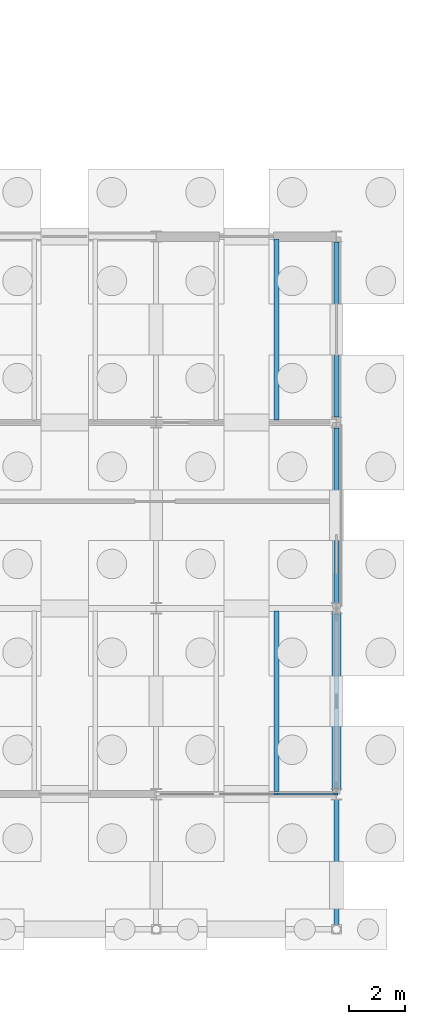
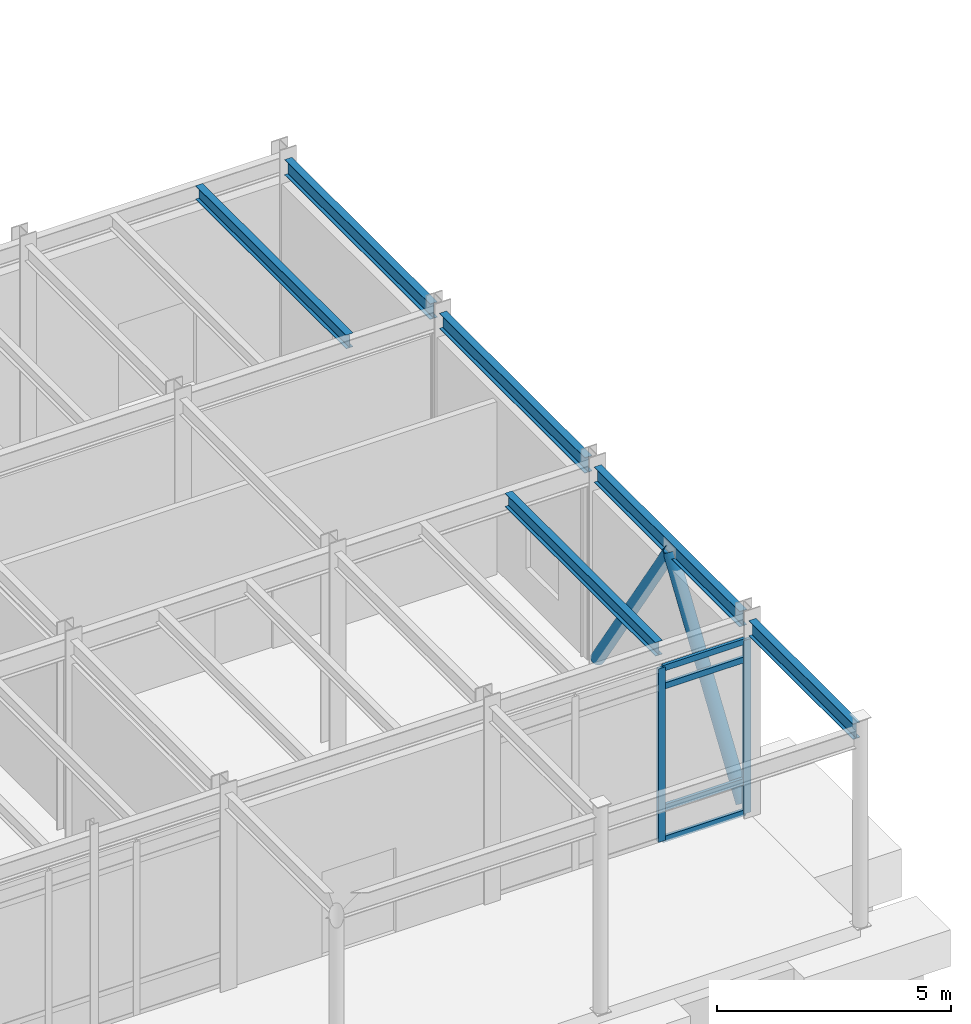
# One storey, part 46 of 82: 8 members, 6 beams, 1 element without a shape of its own.
"""IFC4 building model written with IfcOpenShell, lengths in metres."""

from ifc_helpers import new_model, si_unit, direction, frame, origin, origin_2d, place, context, subcontext, project, spatial, rectangle, hollow_circle, i_section, extrude, material, layer, layer_set, material_profile, profile_set, type_object, element, aggregate, save


model = new_model("IFC4")

# Units and contexts
model_context = context("Model", 3, precision=1e-05, world=origin(), true_north=direction((0.0, 1.0)))
body_context = subcontext(model_context, "Body", "Model", "MODEL_VIEW")
ifc_project = project(units=[si_unit("LENGTHUNIT", "METRE"), si_unit("AREAUNIT", "SQUARE_METRE"), si_unit("VOLUMEUNIT", "CUBIC_METRE"), si_unit("PLANEANGLEUNIT", "RADIAN"), si_unit("MASSUNIT", "GRAM", prefix="KILO")], contexts=[model_context])

# Site, building, storey
site_placement = place(None, origin())
site = spatial("IfcSite", under=ifc_project, at=site_placement, CompositionType="ELEMENT")
building_placement = place(site_placement, origin())
building = spatial("IfcBuilding", under=site, at=building_placement, Name="Trelmorton Wharf Fire Station", CompositionType="ELEMENT")
storey_placement = place(building_placement, origin())
storey = spatial("IfcBuildingStorey", under=building, at=storey_placement, Name="L00", CompositionType="ELEMENT", Elevation=0.0)

# Beams
ifc_material_1 = material(Name="Steel Grade 350", Category="steel")
ifc_material_profile_1 = material_profile(ifc_material_1, i_section(OverallWidth=0.177978515625, OverallDepth=0.406005859375, WebThickness=0.0078125, FlangeThickness=0.0126953125, FilletRadius=0.011474609375, at=origin_2d()), Name="410UB59.7")
ifc_profile_set_1 = profile_set([ifc_material_profile_1], Name="Steel Grade 350")
beam_type_1 = type_object("IfcBeamType", Name="BM_410UB60", PredefinedType="BEAM", material=ifc_profile_set_1)
beam_1_placement = place(storey_placement, frame((162.39990234375, 3.157958984375, 4.927001953125), z_axis=(0.0, 1.0, 0.0), x_axis=(-1.0, 0.0, 0.0)))
element("IfcBeam", 1, at=beam_1_placement, inside=storey, type_object=beam_type_1, Name="BM-L00-0386", PredefinedType="BEAM", context=body_context, shape_type="SweptSolid", body=[
    extrude(i_section(OverallWidth=0.177978515625, OverallDepth=0.406005859375, WebThickness=0.0078125, FlangeThickness=0.0126953125, FilletRadius=0.011474609375, at=origin_2d()), origin(), (0.0, 0.0, 1.0), 4.446044921875),
])
for number, where, z_axis, x_axis, name in (
    (2, (162.39990234375, 7.99609375, 4.927001953125), (0.0, 1.0, 0.0), (-1.0, 0.0, 0.0), "BM-L00-0387"),
    (3, (162.39990234375, 14.595947265625, 4.927001953125), (0.0, 1.0, 0.0), (-1.0, 0.0, 0.0), "BM-L00-0388"),
    (4, (162.39990234375, 21.196044921875, 4.927001953125), (0.0, 1.0, 0.0), (-1.0, 0.0, 0.0), "BM-L00-0389"),
):
    element("IfcBeam", number, at=place(storey_placement, frame(where, z_axis=z_axis, x_axis=x_axis)), inside=storey, type_object=beam_type_1, Name=name, PredefinedType="BEAM", context=body_context, shape_type="SweptSolid", body=[
        extrude(i_section(OverallWidth=0.177978515625, OverallDepth=0.406005859375, WebThickness=0.0078125, FlangeThickness=0.0126953125, FilletRadius=0.011474609375, at=origin_2d()), origin(), (0.0, 0.0, 1.0), 6.2080078125),
    ])

# Members
ifc_material_2 = material(Name="Steel C450L0 (450 MPa)", Category="steel")
ifc_material_profile_2 = material_profile(ifc_material_2, hollow_circle(Radius=0.161865234375, WallThickness=0.0126953125, at=origin_2d()), Name="323.9x12.7CHS")
ifc_profile_set_2 = profile_set([ifc_material_profile_2], Name="Steel C450L0 (450 MPa)")
member_type_1 = type_object("IfcMemberType", Name="BR_324CHS", PredefinedType="BRACE", material=ifc_profile_set_2)
member_1_placement = place(storey_placement, frame((162.39990234375, 7.9970703125, 0.1201171875), z_axis=(0.0, 0.554257329037, 0.832345368948), x_axis=(-1.0, 0.0, 0.0)))
element("IfcMember", 5, at=member_1_placement, inside=storey, type_object=member_type_1, Name="CBF-V5-E-L00-A", PredefinedType="BRACE", context=body_context, shape_type="SweptSolid", body=[
    extrude(hollow_circle(Radius=0.161865234375, WallThickness=0.0126953125, at=origin_2d()), origin(), (0.0, 0.0, 1.0), 5.5986328125),
])
member_2_placement = place(storey_placement, frame((162.39990234375, 14.202880859375, 0.1201171875), z_axis=(0.0, -0.55422711639, 0.832365486705), x_axis=(1.0, 0.0, 0.0)))
element("IfcMember", 6, at=member_2_placement, inside=storey, type_object=member_type_1, Name="CBF-V5-E-L00-B", PredefinedType="BRACE", context=body_context, shape_type="SweptSolid", body=[
    extrude(hollow_circle(Radius=0.161865234375, WallThickness=0.0126953125, at=origin_2d()), origin(), (0.0, 0.0, 1.0), 5.598388671875),
])

# Curtain wall, members
ifc_material_3 = material(Name="Anodised aluminium AW-6063", Category="aluminium")
ifc_layer = layer(ifc_material_3, 0.159912109375)
ifc_layer_set = layer_set([ifc_layer], Name="Anodised aluminium AW-6063")
curtain_wall_type = type_object("IfcCurtainWallType", Name="CW_CHIC_A", PredefinedType="USERDEFINED", material=ifc_layer_set)
curtain_wall_placement = place(storey_placement, origin())
curtain_wall = element("IfcCurtainWall", 7, at=curtain_wall_placement, inside=storey, type_object=curtain_wall_type, Name="CW-V5-L00-034", ObjectType="CHICAGO BAY CURTAIN WALL", PredefinedType="USERDEFINED")
ifc_material_profile_3 = material_profile(ifc_material_3, rectangle(XDim=0.074951171875, YDim=0.175048828125, at=origin_2d()), Name="ALU-75x175")
ifc_profile_set_3 = profile_set([ifc_material_profile_3], Name="Anodised aluminium AW-6063")
member_type_2 = type_object("IfcMemberType", Name="CWM_75x175", PredefinedType="MULLION", material=ifc_profile_set_3)
member_3_placement = place(storey_placement, frame((162.364990234375, 7.800048828125, 0.0), z_axis=(0.0, 0.0, 1.0), x_axis=(0.0, -1.0, 0.0)))
member_3 = element("IfcMember", 8, at=member_3_placement, type_object=member_type_2, Name="CW1 mullion 1", PredefinedType="MULLION", context=body_context, shape_type="SweptSolid", body=[
    extrude(rectangle(XDim=0.074951171875, YDim=0.175048828125, at=origin_2d()), origin(), (0.0, 0.0, 1.0), 4.52001953125),
])
member_4_placement = place(storey_placement, frame((160.264892578125, 7.800048828125, 0.0), z_axis=(0.0, 0.0, 1.0), x_axis=(0.0, -1.0, 0.0)))
member_4 = element("IfcMember", 9, at=member_4_placement, type_object=member_type_2, Name="CW1 mullion 2", PredefinedType="MULLION", context=body_context, shape_type="SweptSolid", body=[
    extrude(rectangle(XDim=0.074951171875, YDim=0.175048828125, at=origin_2d()), origin(), (0.0, 0.0, 1.0), 4.52001953125),
])
ifc_material_profile_4 = material_profile(ifc_material_3, rectangle(XDim=0.074951171875, YDim=0.155029296875, at=origin_2d()), Name="ALU-75x155")
ifc_profile_set_4 = profile_set([ifc_material_profile_4], Name="Anodised aluminium AW-6063")
member_type_3 = type_object("IfcMemberType", Name="CWT_75x155", PredefinedType="USERDEFINED", material=ifc_profile_set_4)
member_5_placement = place(storey_placement, frame((162.3349609375, 7.800048828125, 0.030029296875), z_axis=(-1.0, 0.0, 0.0), x_axis=(0.0, -1.0, 0.0)))
member_5 = element("IfcMember", 10, at=member_5_placement, type_object=member_type_3, Name="CW1 transom 1.1", ObjectType="TRANSOM", PredefinedType="USERDEFINED", context=body_context, shape_type="SweptSolid", body=[
    extrude(rectangle(XDim=0.074951171875, YDim=0.155029296875, at=origin_2d()), origin(), (0.0, 0.0, 1.0), 2.0400390625),
])
member_6_placement = place(storey_placement, frame((162.3349609375, 7.800048828125, 0.85009765625), z_axis=(-1.0, 0.0, 0.0), x_axis=(0.0, -1.0, 0.0)))
member_6 = element("IfcMember", 11, at=member_6_placement, type_object=member_type_3, Name="CW1 transom 1.2", ObjectType="TRANSOM", PredefinedType="USERDEFINED", context=body_context, shape_type="SweptSolid", body=[
    extrude(rectangle(XDim=0.074951171875, YDim=0.155029296875, at=origin_2d()), origin(), (0.0, 0.0, 1.0), 2.0400390625),
])
member_7_placement = place(storey_placement, frame((162.3349609375, 7.800048828125, 4.02001953125), z_axis=(-1.0, 0.0, 0.0), x_axis=(0.0, -1.0, 0.0)))
member_7 = element("IfcMember", 12, at=member_7_placement, type_object=member_type_3, Name="CW1 transom 1.3", ObjectType="TRANSOM", PredefinedType="USERDEFINED", context=body_context, shape_type="SweptSolid", body=[
    extrude(rectangle(XDim=0.074951171875, YDim=0.155029296875, at=origin_2d()), origin(), (0.0, 0.0, 1.0), 2.0400390625),
])
member_8_placement = place(storey_placement, frame((162.3349609375, 7.800048828125, 4.489990234375), z_axis=(-1.0, 0.0, 0.0), x_axis=(0.0, -1.0, 0.0)))
member_8 = element("IfcMember", 13, at=member_8_placement, type_object=member_type_3, Name="CW1 transom 1.4", ObjectType="TRANSOM", PredefinedType="USERDEFINED", context=body_context, shape_type="SweptSolid", body=[
    extrude(rectangle(XDim=0.074951171875, YDim=0.155029296875, at=origin_2d()), origin(), (0.0, 0.0, 1.0), 2.0400390625),
])
aggregate(curtain_wall, [member_3, member_4, member_5, member_6, member_7, member_8])

# Beams
ifc_material_profile_5 = material_profile(ifc_material_1, i_section(OverallWidth=0.172119140625, OverallDepth=0.35888671875, WebThickness=0.008056640625, FlangeThickness=0.012939453125, FilletRadius=0.011474609375, at=origin_2d()), Name="360UB56.7")
ifc_profile_set_5 = profile_set([ifc_material_profile_5], Name="Steel Grade 350")
beam_type_2 = type_object("IfcBeamType", Name="JS_360UB57", PredefinedType="JOIST", material=ifc_profile_set_5)
beam_2_placement = place(storey_placement, frame((160.2666015625, 7.889892578125, 4.950439453125), z_axis=(0.0, 1.0, 0.0), x_axis=(-1.0, 0.0, 0.0)))
element("IfcBeam", 14, at=beam_2_placement, inside=storey, type_object=beam_type_2, Name="JS-L00-0130", PredefinedType="JOIST", context=body_context, shape_type="SweptSolid", body=[
    extrude(i_section(OverallWidth=0.172119140625, OverallDepth=0.35888671875, WebThickness=0.008056640625, FlangeThickness=0.012939453125, FilletRadius=0.011474609375, at=origin_2d()), origin(), (0.0, 0.0, 1.0), 6.420166015625),
])
beam_3_placement = place(storey_placement, frame((160.2666015625, 21.090087890625, 4.950439453125), z_axis=(0.0, 1.0, 0.0), x_axis=(-1.0, 0.0, 0.0)))
element("IfcBeam", 15, at=beam_3_placement, inside=storey, type_object=beam_type_2, Name="JS-L00-0132", PredefinedType="JOIST", context=body_context, shape_type="SweptSolid", body=[
    extrude(i_section(OverallWidth=0.172119140625, OverallDepth=0.35888671875, WebThickness=0.008056640625, FlangeThickness=0.012939453125, FilletRadius=0.011474609375, at=origin_2d()), origin(), (0.0, 0.0, 1.0), 6.419921875),
])

save(model, "model.ifc")
